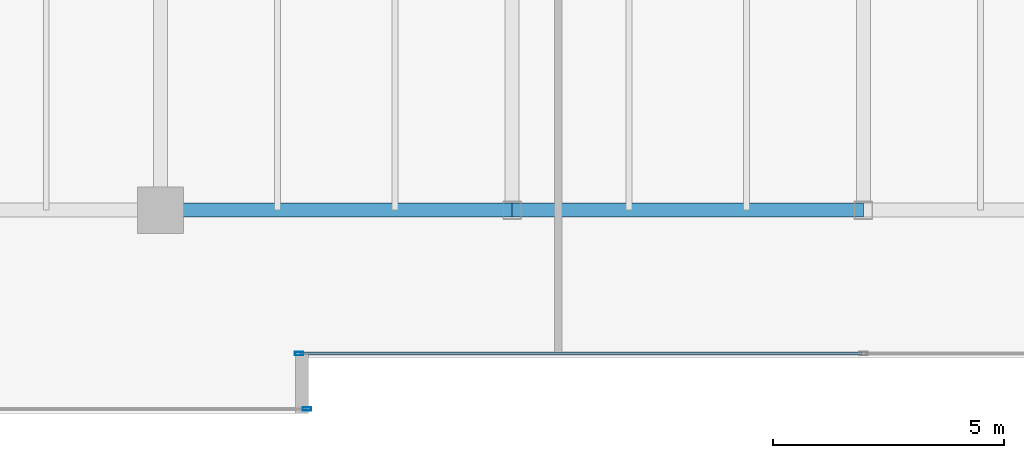
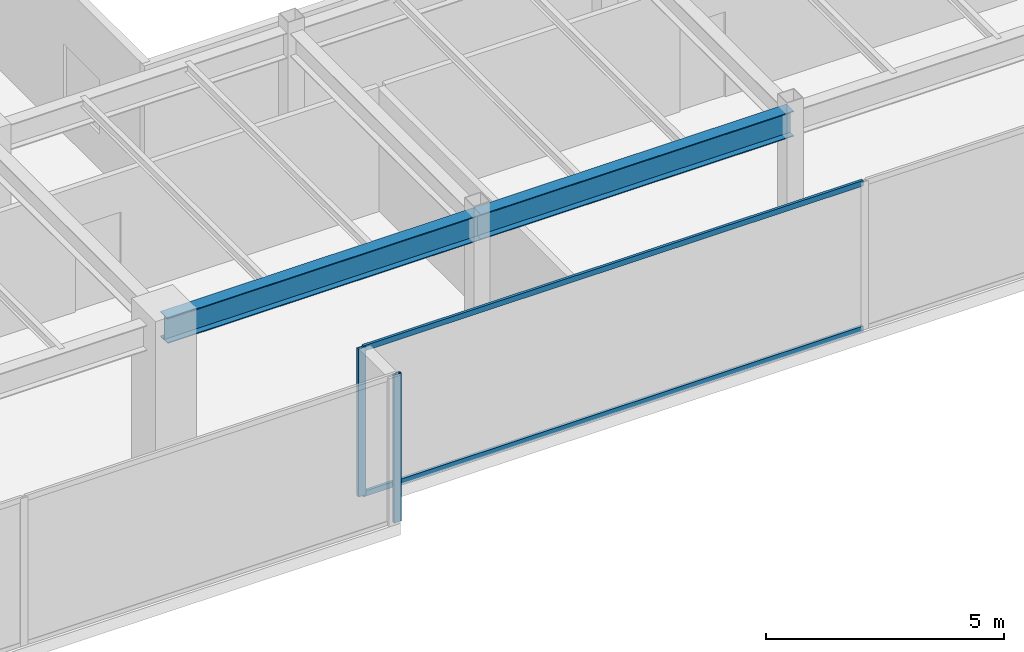
# One storey, part 7 of 33: 4 members, 2 beams, 2 elements without a shape of their own.
"""IFC4 building model written with IfcOpenShell, lengths in metres."""

from ifc_helpers import new_model, si_unit, direction, frame, origin, origin_2d, place, context, subcontext, project, spatial, hollow_rectangle, i_section, extrude, source, transform, mapped, material, layer, layer_set, material_profile, profile_set, type_object, type_shapes, element, aggregate, save


model = new_model("IFC4")

# Units and contexts
model_context = context("Model", 3, precision=1e-05, world=origin(), true_north=direction((0.0, 1.0)))
body_context = subcontext(model_context, "Body", "Model", "MODEL_VIEW")
ifc_project = project(units=[si_unit("LENGTHUNIT", "METRE"), si_unit("AREAUNIT", "SQUARE_METRE"), si_unit("VOLUMEUNIT", "CUBIC_METRE"), si_unit("PLANEANGLEUNIT", "RADIAN"), si_unit("MASSUNIT", "GRAM", prefix="KILO")], contexts=[model_context])

# Site, building, storey
site_placement = place(None, origin())
site = spatial("IfcSite", under=ifc_project, at=site_placement, CompositionType="ELEMENT")
building_placement = place(site_placement, origin())
building = spatial("IfcBuilding", under=site, at=building_placement, Name="Haelvirn Gate Laboratories", CompositionType="ELEMENT")
storey_placement = place(building_placement, frame((0.0, 0.0, 250.60009765625)))
storey = spatial("IfcBuildingStorey", under=building, at=storey_placement, Name="L60", CompositionType="ELEMENT", Elevation=250.60009765625)

# Beams
ifc_material_1 = material(Name="Steel SM355", Category="steel")
ifc_material_profile_1 = material_profile(ifc_material_1, i_section(OverallWidth=0.300048828125, OverallDepth=0.64990234375, WebThickness=0.012939453125, FlangeThickness=0.02197265625, at=origin_2d()), Name="H-650x300x13x22")
ifc_profile_set_1 = profile_set([ifc_material_profile_1], Name="Steel SM355")
beam_type = type_object("IfcBeamType", Name="BM-G-650", PredefinedType="BEAM", material=ifc_profile_set_1)
shared_shape_1 = source(origin(), body_context, "Body", "SweptSolid", [
    extrude(i_section(OverallWidth=0.300048828125, OverallDepth=0.64990234375, WebThickness=0.012939453125, FlangeThickness=0.02197265625, at=origin_2d()), origin(), (0.0, 0.0, 1.0), 7.60009765625),
])
beam_1_placement = place(storey_placement, frame((22.199951171875, 7.0, 3.474853515625), z_axis=(1.0, 0.0, 0.0), x_axis=(0.0, 1.0, 0.0)))
element("IfcBeam", 1, at=beam_1_placement, inside=storey, type_object=beam_type, Name="L60 Primary Girder Y7.0 (22.2-29.8)", PredefinedType="BEAM", context=body_context, shape_type="MappedRepresentation", body=[
    mapped(shared_shape_1, transform((0.0, 0.0, 0.0), scale=1.0)),
])
shared_shape_2 = source(origin(), body_context, "Body", "SweptSolid", [
    extrude(i_section(OverallWidth=0.300048828125, OverallDepth=0.64990234375, WebThickness=0.012939453125, FlangeThickness=0.02197265625, at=origin_2d()), origin(), (0.0, 0.0, 1.0), 7.599853515625),
])
type_shapes(beam_type, [shared_shape_1, shared_shape_2])
beam_2_placement = place(storey_placement, frame((29.800048828125, 7.0, 3.474853515625), z_axis=(1.0, 0.0, 0.0), x_axis=(0.0, 1.0, 0.0)))
element("IfcBeam", 2, at=beam_2_placement, inside=storey, type_object=beam_type, Name="L60 Primary Girder Y7.0 (29.8-37.4)", PredefinedType="BEAM", context=body_context, shape_type="MappedRepresentation", body=[
    mapped(shared_shape_2, transform((0.0, 0.0, 0.0), scale=1.0)),
])

# Curtain wall, members
ifc_material_2 = material(Name="Anodised bronze unitised aluminium & triple low-E glass", Category="aluminium")
ifc_layer = layer(ifc_material_2, 0.176025390625, Name="CW-SYS-4")
ifc_layer_set = layer_set([ifc_layer], Name="Anodised bronze unitised aluminium & triple low-E glass")
curtain_wall_type = type_object("IfcCurtainWallType", Name="CW-SYS-4", PredefinedType="NOTDEFINED", material=ifc_layer_set)
curtain_wall_1_placement = place(storey_placement, origin())
curtain_wall_1 = element("IfcCurtainWall", 3, at=curtain_wall_1_placement, inside=storey, type_object=curtain_wall_type, Name="L60 Unitised Curtain Wall CW-L60-P0-E02-1", PredefinedType="NOTDEFINED")
ifc_material_3 = material(Name="Extruded aluminium 6063-T6 (anodised bronze)", Category="aluminium")
ifc_material_profile_2 = material_profile(ifc_material_3, hollow_rectangle(XDim=0.06494140625, YDim=0.139892578125, WallThickness=0.00390625, at=origin_2d()), Name="CWT-140x65x4")
ifc_profile_set_2 = profile_set([ifc_material_profile_2], Name="Extruded aluminium 6063-T6 (anodised bronze)")
member_type_1 = type_object("IfcMemberType", Name="CWT-T140", PredefinedType="USERDEFINED", material=ifc_profile_set_2)
shared_shape_3 = source(origin(), body_context, "Body", "SweptSolid", [
    extrude(hollow_rectangle(XDim=0.06494140625, YDim=0.139892578125, WallThickness=0.00390625, at=origin_2d()), origin(), (0.0, 0.0, 1.0), 12.135009765625),
])
type_shapes(member_type_1, [shared_shape_3])
member_1_placement = place(storey_placement, frame((25.22998046875, 3.89990234375, 0.032470703125), z_axis=(1.0, 0.0, 0.0), x_axis=(0.0, 1.0, 0.0)))
member_1 = element("IfcMember", 4, at=member_1_placement, type_object=member_type_1, Name="CW4 transom 1.1", ObjectType="TRANSOM", PredefinedType="USERDEFINED", context=body_context, shape_type="MappedRepresentation", body=[
    mapped(shared_shape_3, transform((0.0, 0.0, 0.0), scale=1.0)),
])
member_2_placement = place(storey_placement, frame((25.22998046875, 3.89990234375, 3.767333984375), z_axis=(1.0, 0.0, 0.0), x_axis=(0.0, 1.0, 0.0)))
member_2 = element("IfcMember", 5, at=member_2_placement, type_object=member_type_1, Name="CW4 transom 1.2", ObjectType="TRANSOM", PredefinedType="USERDEFINED", context=body_context, shape_type="MappedRepresentation", body=[
    mapped(shared_shape_3, transform((0.0, 0.0, 0.0), scale=1.0)),
])

# Curtain wall, member
curtain_wall_2_placement = place(storey_placement, origin())
curtain_wall_2 = element("IfcCurtainWall", 6, at=curtain_wall_2_placement, inside=storey, type_object=curtain_wall_type, Name="L60 Unitised Curtain Wall CW-L60-P0-E00-1", PredefinedType="NOTDEFINED")
ifc_material_profile_3 = material_profile(ifc_material_3, hollow_rectangle(XDim=0.070068359375, YDim=0.179931640625, WallThickness=0.0048828125, at=origin_2d()), Name="CWM-180x70x5")
ifc_profile_set_3 = profile_set([ifc_material_profile_3], Name="Extruded aluminium 6063-T6 (anodised bronze)")
member_type_2 = type_object("IfcMemberType", Name="CWM-T180", PredefinedType="MULLION", material=ifc_profile_set_3)
shared_shape_4 = source(origin(), body_context, "Body", "SweptSolid", [
    extrude(hollow_rectangle(XDim=0.070068359375, YDim=0.179931640625, WallThickness=0.0048828125, at=origin_2d()), origin(), (0.0, 0.0, 1.0), 3.7998046875),
])
type_shapes(member_type_2, [shared_shape_4])
member_3_placement = place(storey_placement, frame((25.364990234375, 2.699951171875, 0.0), z_axis=(0.0, 0.0, 1.0), x_axis=(0.0, 1.0, 0.0)))
member_3 = element("IfcMember", 7, at=member_3_placement, type_object=member_type_2, Name="CW4 mullion 3", PredefinedType="MULLION", context=body_context, shape_type="MappedRepresentation", body=[
    mapped(shared_shape_4, transform((0.0, 0.0, 0.0), scale=1.0)),
])
aggregate(curtain_wall_2, [member_3])

# Member
member_4_placement = place(storey_placement, frame((25.195068359375, 3.89990234375, 0.0), z_axis=(0.0, 0.0, 1.0), x_axis=(0.0, 1.0, 0.0)))
member_4 = element("IfcMember", 8, at=member_4_placement, type_object=member_type_2, Name="CW4 mullion 1", PredefinedType="MULLION", context=body_context, shape_type="MappedRepresentation", body=[
    mapped(shared_shape_4, transform((0.0, 0.0, 0.0), scale=1.0)),
])

aggregate(curtain_wall_1, [member_4, member_1, member_2])

save(model, "model.ifc")
